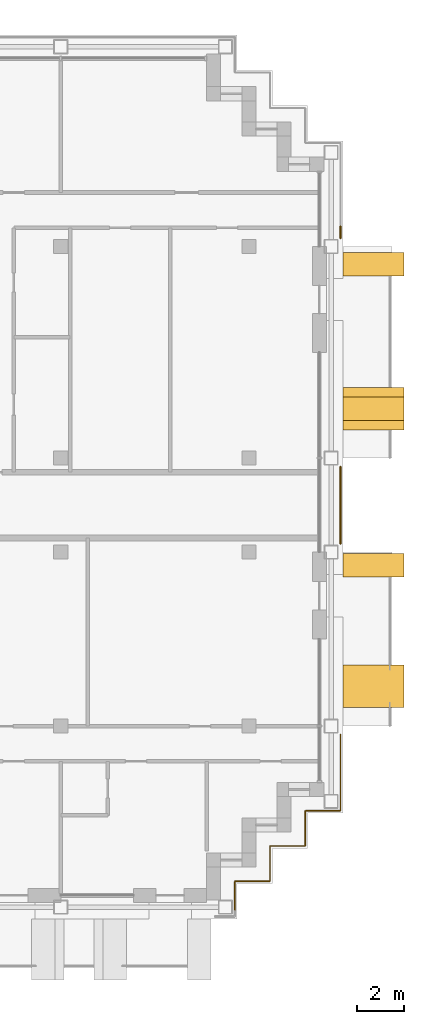
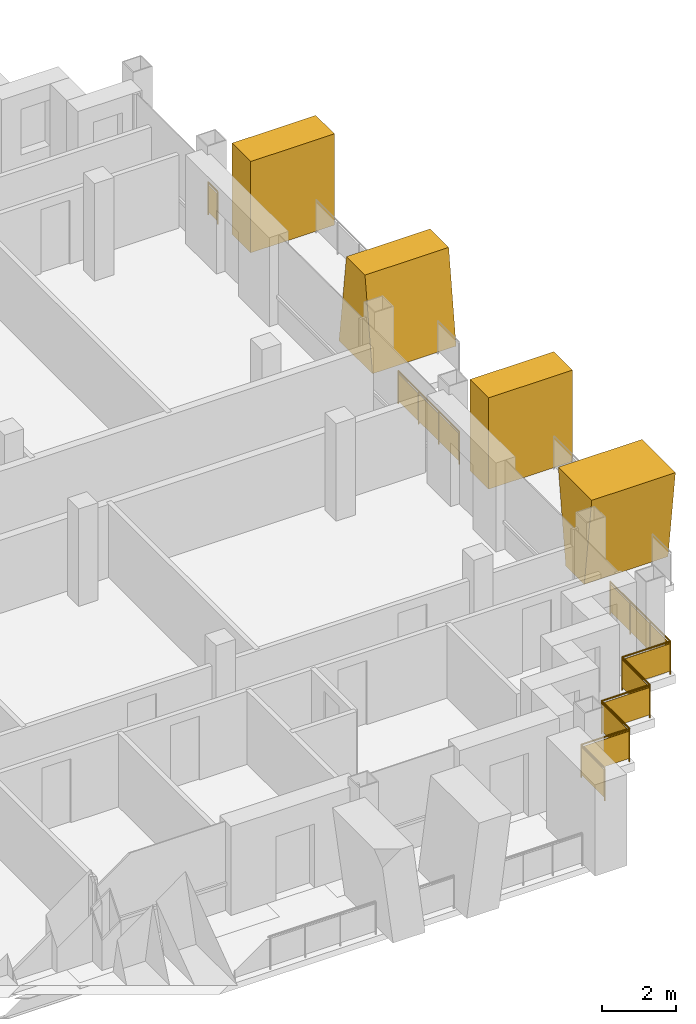
# One storey, part 14 of 16: 4 shading devices, 3 railings.
"""IFC4 building model written with IfcOpenShell, lengths in metres."""

from ifc_helpers import new_model, si_unit, direction, frame, origin, origin_2d, place, context, subcontext, project, spatial, polyline, rectangle, circle, outline, extrude, material, layer, layer_set, type_object, element, save


model = new_model("IFC4")

# Units and contexts
model_context = context("Model", 3, precision=1e-05, world=origin(), true_north=direction((0.0, 1.0)))
body_context = subcontext(model_context, "Body", "Model", "MODEL_VIEW")
ifc_project = project(units=[si_unit("LENGTHUNIT", "METRE"), si_unit("AREAUNIT", "SQUARE_METRE"), si_unit("VOLUMEUNIT", "CUBIC_METRE"), si_unit("PLANEANGLEUNIT", "RADIAN"), si_unit("MASSUNIT", "GRAM", prefix="KILO")], contexts=[model_context])

# Site, building, storey
site_placement = place(None, origin())
site = spatial("IfcSite", under=ifc_project, at=site_placement, CompositionType="ELEMENT")
building_placement = place(site_placement, origin())
building = spatial("IfcBuilding", under=site, at=building_placement, Name="Vidyagriha Tower", CompositionType="ELEMENT")
storey_placement = place(building_placement, frame((0.0, 0.0, 217.199951171875)))
storey = spatial("IfcBuildingStorey", under=building, at=storey_placement, Name="L56", CompositionType="ELEMENT", Elevation=217.199951171875)

# Shading devices
ifc_material_1 = material(Name="Precast concrete C40/50 with buff brick facing", Category="concrete")
ifc_layer_1 = layer(ifc_material_1, 1.0)
ifc_layer_set_1 = layer_set([ifc_layer_1], Name="Precast concrete C40/50 with buff brick facing")
shading_device_type_1 = type_object("IfcShadingDeviceType", Name="Brick-faced blade fin forking 8 degrees", PredefinedType="USERDEFINED", material=ifc_layer_set_1)
shading_device_1_placement = place(storey_placement, frame((31.300048828125, -8.60009765625, 0.0), z_axis=(0.0, 0.0, 1.0), x_axis=(0.0, 1.0, 0.0)))
element("IfcShadingDevice", 1, at=shading_device_1_placement, inside=storey, type_object=shading_device_type_1, Name="Forked blade fin L56 R30.240a", ObjectType="BLADE FIN", PredefinedType="USERDEFINED", context=body_context, shape_type="SweptSolid", body=[
    extrude(outline(polyline([(0.39990234375, 0.0), (1.39990234375, 0.0), (1.800048828125, 3.0), (0.0, 3.0), (0.39990234375, 0.0)])), frame((0.0, 1.300048828125, 0.0), z_axis=(0.0, -1.0, 0.0), x_axis=(1.0, 0.0, 0.0)), (0.0, 0.0, 1.0), 2.60009765625),
])
shading_device_2_placement = place(storey_placement, frame((31.300048828125, 3.199951171875, 0.0), z_axis=(0.0, 0.0, 1.0), x_axis=(0.0, 1.0, 0.0)))
element("IfcShadingDevice", 2, at=shading_device_2_placement, inside=storey, type_object=shading_device_type_1, Name="Forked blade fin L56 R30.1380a", ObjectType="BLADE FIN", PredefinedType="USERDEFINED", context=body_context, shape_type="SweptSolid", body=[
    extrude(outline(polyline([(0.0, 0.0), (1.800048828125, 0.0), (1.39990234375, 3.0), (0.39990234375, 3.0), (0.0, 0.0)])), frame((0.0, 1.300048828125, 0.0), z_axis=(0.0, -1.0, 0.0), x_axis=(1.0, 0.0, 0.0)), (0.0, 0.0, 1.0), 2.60009765625),
])
ifc_material_2 = material(Name="Precast concrete C40/50 with buff brick facing", Category="concrete")
ifc_layer_2 = layer(ifc_material_2, 1.0)
ifc_layer_set_2 = layer_set([ifc_layer_2], Name="Precast concrete C40/50 with buff brick facing")
shading_device_type_2 = type_object("IfcShadingDeviceType", Name="Brick-faced blade fin stem 1000", PredefinedType="USERDEFINED", material=ifc_layer_set_2)
for number, where, z_axis, x_axis, name in (
    (3, (31.300048828125, -3.050048828125, 0.0), (0.0, 0.0, 1.0), (0.0, 1.0, 0.0), "Stem blade fin L56 R30.980a"),
    (4, (31.300048828125, 9.75, 0.0), (0.0, 0.0, 1.0), (0.0, 1.0, 0.0), "Stem blade fin L56 R30.2280a"),
):
    element("IfcShadingDevice", number, at=place(storey_placement, frame(where, z_axis=z_axis, x_axis=x_axis)), inside=storey, type_object=shading_device_type_2, Name=name, ObjectType="BLADE FIN", PredefinedType="USERDEFINED", context=body_context, shape_type="SweptSolid", body=[
        extrude(outline(polyline([(0.0, 0.0), (1.0, 0.0), (1.0, 3.0), (0.0, 3.0), (0.0, 0.0)])), frame((0.0, 1.300048828125, 0.0), z_axis=(0.0, -1.0, 0.0), x_axis=(1.0, 0.0, 0.0)), (0.0, 0.0, 1.0), 2.60009765625),
    ])

# Railings
ifc_material_3 = material(Name="Steel ASTM A500 Grade C black painted", Category="steel")
railing_type = type_object("IfcRailingType", Name="Gallery guard 1100", PredefinedType="GUARDRAIL", material=ifc_material_3)
railing_1_placement = place(storey_placement, frame((29.89990234375, 11.8701171875, 0.0)))
element("IfcRailing", 5, at=railing_1_placement, inside=storey, type_object=railing_type, Name="Gallery guard L56 9", PredefinedType="GUARDRAIL", context=body_context, shape_type="SweptSolid", body=[
    extrude(circle(Radius=0.02490234375, at=origin_2d()), frame((0.0, 0.0, 1.0751953125), z_axis=(0.0, -1.0, 0.0), x_axis=(1.0, 0.0, 0.0)), (0.0, 0.0, 1.0), 0.510009765625),
    extrude(circle(Radius=0.02001953125, at=origin_2d()), origin(), (0.0, 0.0, 1.0), 1.050048828125),
    extrude(circle(Radius=0.02001953125, at=origin_2d()), frame((0.0, -0.510009765625, 0.0)), (0.0, 0.0, 1.0), 1.050048828125),
    extrude(rectangle(XDim=0.010009765625, YDim=0.900146484375, at=origin_2d()), frame((0.0, 0.0, 0.550048828125), z_axis=(0.0, -1.0, 0.0), x_axis=(1.0, 0.0, 0.0)), (0.0, 0.0, 1.0), 0.510009765625),
])
railing_2_placement = place(storey_placement, frame((29.89990234375, -9.760009765625, 0.0)))
element("IfcRailing", 6, at=railing_2_placement, inside=storey, type_object=railing_type, Name="Gallery guard L56 10", PredefinedType="GUARDRAIL", context=body_context, shape_type="SweptSolid", body=[
    extrude(circle(Radius=0.02490234375, at=origin_2d()), frame((0.0, 0.0, 1.0751953125), z_axis=(0.0, -1.0, 0.0), x_axis=(1.0, 0.0, 0.0)), (0.0, 0.0, 1.0), 3.239990234375),
    extrude(circle(Radius=0.02490234375, at=origin_2d()), frame((0.0, -3.239990234375, 1.0751953125), z_axis=(-1.0, 0.0, 0.0), x_axis=(0.0, -1.0, 0.0)), (0.0, 0.0, 1.0), 1.5),
    extrude(circle(Radius=0.02490234375, at=origin_2d()), frame((-1.5, -3.239990234375, 1.0751953125), z_axis=(0.0, -1.0, 0.0), x_axis=(1.0, 0.0, 0.0)), (0.0, 0.0, 1.0), 1.5),
    extrude(circle(Radius=0.02490234375, at=origin_2d()), frame((-1.5, -4.739990234375, 1.0751953125), z_axis=(-1.0, 0.0, 0.0), x_axis=(0.0, -1.0, 0.0)), (0.0, 0.0, 1.0), 1.5),
    extrude(circle(Radius=0.02490234375, at=origin_2d()), frame((-3.0, -4.739990234375, 1.0751953125), z_axis=(0.0, -1.0, 0.0), x_axis=(1.0, 0.0, 0.0)), (0.0, 0.0, 1.0), 1.5),
    extrude(circle(Radius=0.02490234375, at=origin_2d()), frame((-3.0, -6.239990234375, 1.0751953125), z_axis=(-1.0, 0.0, 0.0), x_axis=(0.0, -1.0, 0.0)), (0.0, 0.0, 1.0), 1.5),
    extrude(circle(Radius=0.02490234375, at=origin_2d()), frame((-4.5, -6.239990234375, 1.0751953125), z_axis=(0.0, -1.0, 0.0), x_axis=(1.0, 0.0, 0.0)), (0.0, 0.0, 1.0), 1.260009765625),
    extrude(circle(Radius=0.02001953125, at=origin_2d()), origin(), (0.0, 0.0, 1.0), 1.050048828125),
    extrude(circle(Radius=0.02001953125, at=origin_2d()), frame((0.0, -1.080078125, 0.0)), (0.0, 0.0, 1.0), 1.050048828125),
    extrude(circle(Radius=0.02001953125, at=origin_2d()), frame((0.0, -2.159912109375, 0.0)), (0.0, 0.0, 1.0), 1.050048828125),
    extrude(circle(Radius=0.02001953125, at=origin_2d()), frame((0.0, -3.239990234375, 0.0)), (0.0, 0.0, 1.0), 1.050048828125),
    extrude(circle(Radius=0.02001953125, at=origin_2d()), frame((-1.5, -3.239990234375, 0.0)), (0.0, 0.0, 1.0), 1.050048828125),
    extrude(circle(Radius=0.02001953125, at=origin_2d()), frame((-1.5, -4.739990234375, 0.0)), (0.0, 0.0, 1.0), 1.050048828125),
    extrude(circle(Radius=0.02001953125, at=origin_2d()), frame((-3.0, -4.739990234375, 0.0)), (0.0, 0.0, 1.0), 1.050048828125),
    extrude(circle(Radius=0.02001953125, at=origin_2d()), frame((-3.0, -6.239990234375, 0.0)), (0.0, 0.0, 1.0), 1.050048828125),
    extrude(circle(Radius=0.02001953125, at=origin_2d()), frame((-4.5, -6.239990234375, 0.0)), (0.0, 0.0, 1.0), 1.050048828125),
    extrude(circle(Radius=0.02001953125, at=origin_2d()), frame((-4.5, -7.5, 0.0)), (0.0, 0.0, 1.0), 1.050048828125),
    extrude(rectangle(XDim=0.010009765625, YDim=0.900146484375, at=origin_2d()), frame((0.0, 0.0, 0.550048828125), z_axis=(0.0, -1.0, 0.0), x_axis=(1.0, 0.0, 0.0)), (0.0, 0.0, 1.0), 3.239990234375),
    extrude(rectangle(XDim=0.010009765625, YDim=0.900146484375, at=origin_2d()), frame((0.0, -3.239990234375, 0.550048828125), z_axis=(-1.0, 0.0, 0.0), x_axis=(0.0, -1.0, 0.0)), (0.0, 0.0, 1.0), 1.5),
    extrude(rectangle(XDim=0.010009765625, YDim=0.900146484375, at=origin_2d()), frame((-1.5, -3.239990234375, 0.550048828125), z_axis=(0.0, -1.0, 0.0), x_axis=(1.0, 0.0, 0.0)), (0.0, 0.0, 1.0), 1.5),
    extrude(rectangle(XDim=0.010009765625, YDim=0.900146484375, at=origin_2d()), frame((-1.5, -4.739990234375, 0.550048828125), z_axis=(-1.0, 0.0, 0.0), x_axis=(0.0, -1.0, 0.0)), (0.0, 0.0, 1.0), 1.5),
    extrude(rectangle(XDim=0.010009765625, YDim=0.900146484375, at=origin_2d()), frame((-3.0, -4.739990234375, 0.550048828125), z_axis=(0.0, -1.0, 0.0), x_axis=(1.0, 0.0, 0.0)), (0.0, 0.0, 1.0), 1.5),
    extrude(rectangle(XDim=0.010009765625, YDim=0.900146484375, at=origin_2d()), frame((-3.0, -6.239990234375, 0.550048828125), z_axis=(-1.0, 0.0, 0.0), x_axis=(0.0, -1.0, 0.0)), (0.0, 0.0, 1.0), 1.5),
    extrude(rectangle(XDim=0.010009765625, YDim=0.900146484375, at=origin_2d()), frame((-4.5, -6.239990234375, 0.550048828125), z_axis=(0.0, -1.0, 0.0), x_axis=(1.0, 0.0, 0.0)), (0.0, 0.0, 1.0), 1.260009765625),
])
railing_3_placement = place(storey_placement, frame((29.89990234375, 1.639892578125, 0.0)))
element("IfcRailing", 7, at=railing_3_placement, inside=storey, type_object=railing_type, Name="Gallery guard L56 12", PredefinedType="GUARDRAIL", context=body_context, shape_type="SweptSolid", body=[
    extrude(circle(Radius=0.02490234375, at=origin_2d()), frame((0.0, 0.0, 1.0751953125), z_axis=(0.0, -1.0, 0.0), x_axis=(1.0, 0.0, 0.0)), (0.0, 0.0, 1.0), 3.27978515625),
    extrude(circle(Radius=0.02001953125, at=origin_2d()), origin(), (0.0, 0.0, 1.0), 1.050048828125),
    extrude(circle(Radius=0.02001953125, at=origin_2d()), frame((0.0, -1.09326171875, 0.0)), (0.0, 0.0, 1.0), 1.050048828125),
    extrude(circle(Radius=0.02001953125, at=origin_2d()), frame((0.0, -2.1865234375, 0.0)), (0.0, 0.0, 1.0), 1.050048828125),
    extrude(circle(Radius=0.02001953125, at=origin_2d()), frame((0.0, -3.27978515625, 0.0)), (0.0, 0.0, 1.0), 1.050048828125),
    extrude(rectangle(XDim=0.010009765625, YDim=0.900146484375, at=origin_2d()), frame((0.0, 0.0, 0.550048828125), z_axis=(0.0, -1.0, 0.0), x_axis=(1.0, 0.0, 0.0)), (0.0, 0.0, 1.0), 3.27978515625),
])

save(model, "model.ifc")
